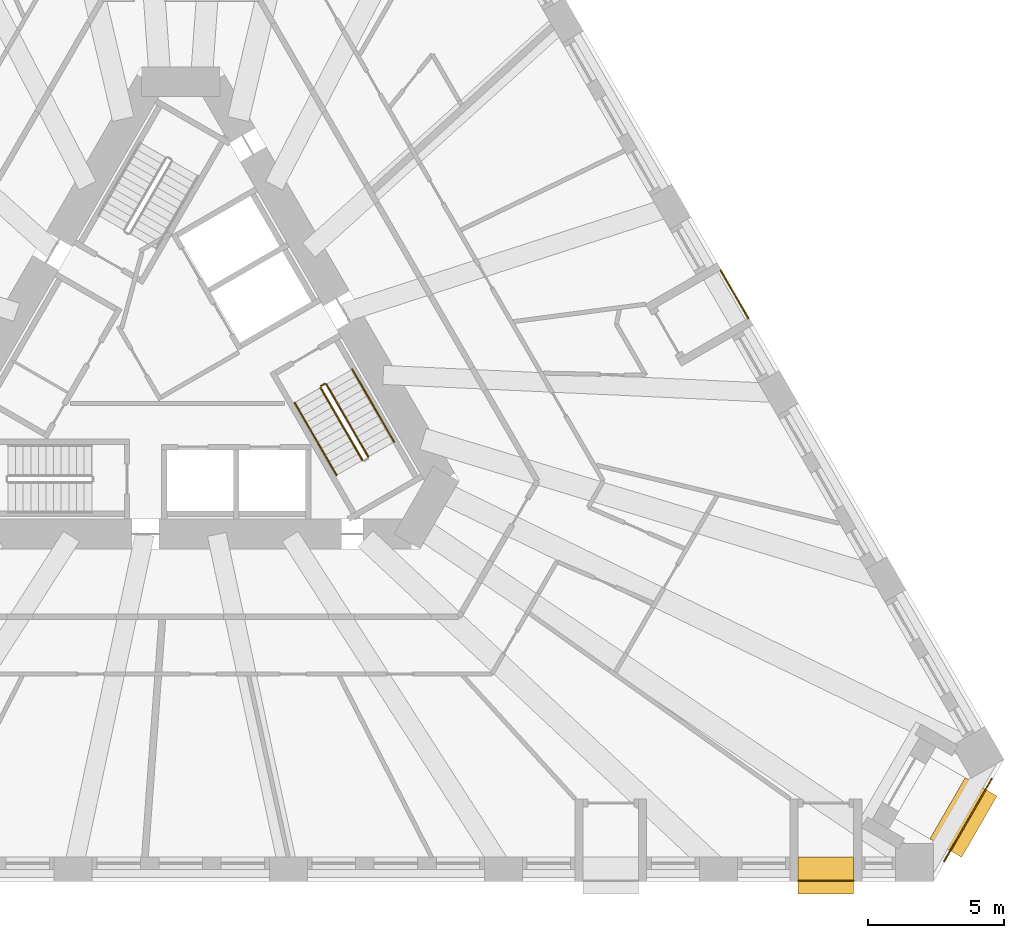
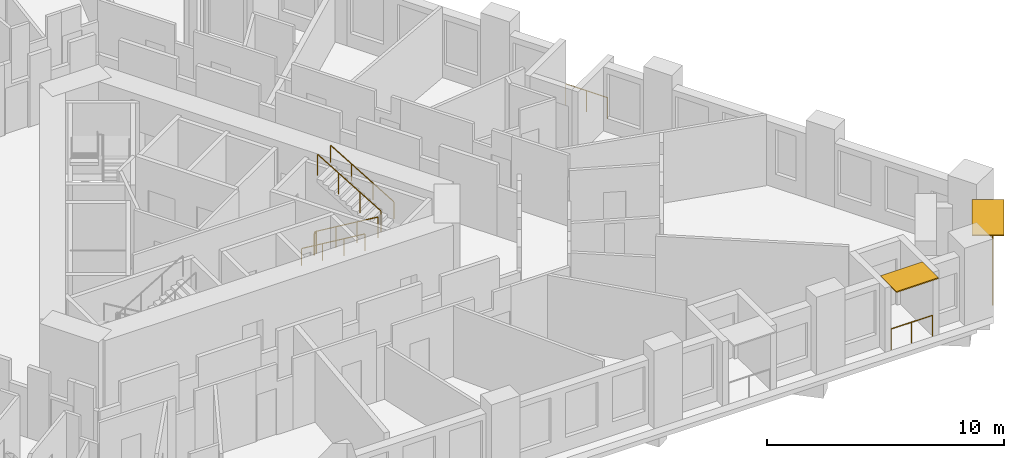
# One storey, part 13 of 14: 8 railings, 2 shading devices.
"""IFC4 building model written with IfcOpenShell, lengths in metres."""

from ifc_helpers import new_model, si_unit, direction, frame, origin, origin_2d, place, context, subcontext, project, spatial, rectangle, circle, extrude, material, layer, layer_set, type_object, element, save


model = new_model("IFC4")

# Units and contexts
model_context = context("Model", 3, precision=1e-05, world=origin(), true_north=direction((0.0, 1.0)))
body_context = subcontext(model_context, "Body", "Model", "MODEL_VIEW")
ifc_project = project(units=[si_unit("LENGTHUNIT", "METRE"), si_unit("AREAUNIT", "SQUARE_METRE"), si_unit("VOLUMEUNIT", "CUBIC_METRE"), si_unit("PLANEANGLEUNIT", "RADIAN"), si_unit("MASSUNIT", "GRAM", prefix="KILO")], contexts=[model_context])

# Site, building, storey
site_placement = place(None, origin())
site = spatial("IfcSite", under=ifc_project, at=site_placement, CompositionType="ELEMENT")
building_placement = place(site_placement, origin())
building = spatial("IfcBuilding", under=site, at=building_placement, Name="Tramontana Tower", CompositionType="ELEMENT")
storey_placement = place(building_placement, frame((0.0, 0.0, 34.0)))
storey = spatial("IfcBuildingStorey", under=building, at=storey_placement, Name="L06", CompositionType="ELEMENT", Elevation=34.0)

# Railings
ifc_material_1 = material(Name="Laminated glass balustrade", Category="glass")
railing_type_1 = type_object("IfcRailingType", Name="GD1 Loggia glass balustrade 1100", PredefinedType="BALUSTRADE", material=ifc_material_1)
railing_1_placement = place(storey_placement, frame((22.734130859375, -18.969970703125, 0.0)))
element("IfcRailing", 1, at=railing_1_placement, inside=storey, type_object=railing_type_1, Name="Loggia balustrade L06 G0S1.19", PredefinedType="BALUSTRADE", context=body_context, shape_type="SweptSolid", body=[
    extrude(circle(Radius=0.02392578125, at=origin_2d()), frame((0.0, 0.0, 1.076171875), z_axis=(1.0, 0.0, 0.0), x_axis=(0.0, 1.0, 0.0)), (0.0, 0.0, 1.0), 2.039306640625),
    extrude(circle(Radius=0.02099609375, at=origin_2d()), origin(), (0.0, 0.0, 1.0), 1.052001953125),
    extrude(circle(Radius=0.02099609375, at=origin_2d()), frame((1.01953125, 0.0, 0.0)), (0.0, 0.0, 1.0), 1.052001953125),
    extrude(circle(Radius=0.02099609375, at=origin_2d()), frame((2.039306640625, 0.0, 0.0)), (0.0, 0.0, 1.0), 1.052001953125),
])
railing_2_placement = place(storey_placement, frame((20.897216796875, 1.744873046875, 0.0)))
element("IfcRailing", 2, at=railing_2_placement, inside=storey, type_object=railing_type_1, Name="Loggia balustrade L06 G0S2.7", PredefinedType="BALUSTRADE", context=body_context, shape_type="SweptSolid", body=[
    extrude(circle(Radius=0.02392578125, at=origin_2d()), frame((0.0, 0.0, 1.076171875), z_axis=(-0.499950448838, 0.866054010271, 0.0), x_axis=(-0.866054010271, -0.499950448838, 0.0)), (0.0, 0.0, 1.0), 2.039306640625),
    extrude(circle(Radius=0.02099609375, at=origin_2d()), origin(), (0.0, 0.0, 1.0), 1.052001953125),
    extrude(circle(Radius=0.02099609375, at=origin_2d()), frame((-0.509765625, 0.883056640625, 0.0)), (0.0, 0.0, 1.0), 1.052001953125),
    extrude(circle(Radius=0.02099609375, at=origin_2d()), frame((-1.01953125, 1.76611328125, 0.0)), (0.0, 0.0, 1.0), 1.052001953125),
])
railing_3_placement = place(storey_placement, frame((29.86083984375, -15.219482421875, 0.0)))
element("IfcRailing", 3, at=railing_3_placement, inside=storey, type_object=railing_type_1, Name="Corner loggia balustrade L06 K02", PredefinedType="BALUSTRADE", context=body_context, shape_type="SweptSolid", body=[
    extrude(circle(Radius=0.02392578125, at=origin_2d()), frame((0.0, 0.0, 1.076171875), z_axis=(-0.500010275428, -0.866019471182, 0.0), x_axis=(0.866019471182, -0.500010275428, 0.0)), (0.0, 0.0, 1.0), 3.5),
    extrude(circle(Radius=0.02099609375, at=origin_2d()), origin(), (0.0, 0.0, 1.0), 1.052001953125),
    extrude(circle(Radius=0.02099609375, at=origin_2d()), frame((-0.583251953125, -1.01025390625, 0.0)), (0.0, 0.0, 1.0), 1.052001953125),
    extrude(circle(Radius=0.02099609375, at=origin_2d()), frame((-1.166748046875, -2.020751953125, 0.0)), (0.0, 0.0, 1.0), 1.052001953125),
    extrude(circle(Radius=0.02099609375, at=origin_2d()), frame((-1.75, -3.031005859375, 0.0)), (0.0, 0.0, 1.0), 1.052001953125),
])

# Shading devices
ifc_material_2 = material(Name="Precast concrete 60 MPa", Category="concrete")
ifc_layer_1 = layer(ifc_material_2, 0.06005859375)
ifc_layer_set_1 = layer_set([ifc_layer_1], Name="SS1 Stone sunshade blade 60")
shading_device_type_1 = type_object("IfcShadingDeviceType", Name="SS1 Stone sunshade blade 60", PredefinedType="USERDEFINED", material=ifc_layer_set_1)
shading_device_1_placement = place(storey_placement, frame((23.75390625, -18.77490234375, 3.239990234375), z_axis=(0.0, 0.0, 1.0), x_axis=(1.0, 0.0, 0.0)))
element("IfcShadingDevice", 4, at=shading_device_1_placement, inside=storey, type_object=shading_device_type_1, Name="Sunshade L06 G0S1.19", ObjectType="SUNSHADE", PredefinedType="USERDEFINED", context=body_context, shape_type="SweptSolid", body=[
    extrude(rectangle(XDim=2.039306640625, YDim=1.35009765625, at=origin_2d()), origin(), (0.0, 0.0, 1.0), 0.06005859375),
])
ifc_material_3 = material(Name="Precast concrete 60 MPa", Category="concrete")
ifc_layer_2 = layer(ifc_material_3, 0.070068359375)
ifc_layer_set_2 = layer_set([ifc_layer_2], Name="SS2 Stone sunshade blade 70")
shading_device_type_2 = type_object("IfcShadingDeviceType", Name="SS2 Stone sunshade blade 70", PredefinedType="USERDEFINED", material=ifc_layer_set_2)
shading_device_2_placement = place(storey_placement, frame((28.81689453125, -16.637451171875, 3.22998046875), z_axis=(0.0, 0.0, 1.0), x_axis=(-0.5, -0.866025403784, 0.0)))
element("IfcShadingDevice", 5, at=shading_device_2_placement, inside=storey, type_object=shading_device_type_2, Name="Corner sunshade L06 K02", ObjectType="SUNSHADE", PredefinedType="USERDEFINED", context=body_context, shape_type="SweptSolid", body=[
    extrude(rectangle(XDim=2.60009765625, YDim=1.35009765625, at=origin_2d()), origin(), (0.0, 0.0, 1.0), 0.070068359375),
])

# Railings
ifc_material_4 = material(Name="Painted steel", Category="steel")
railing_type_2 = type_object("IfcRailingType", Name="STAIR GUARD 1100", PredefinedType="GUARDRAIL", material=ifc_material_4)
railing_4_placement = place(storey_placement, frame((5.1474609375, -0.815673828125, 0.166748046875)))
element("IfcRailing", 6, at=railing_4_placement, inside=storey, type_object=railing_type_2, Name="L06 ST3 stair guard 1", PredefinedType="GUARDRAIL", context=body_context, shape_type="SweptSolid", body=[
    extrude(circle(Radius=0.02392578125, at=origin_2d()), frame((0.0, 0.0, 1.076171875), z_axis=(0.429671193721, -0.744159446956, 0.511477646425), x_axis=(0.866010015463, 0.500026652407, 0.0)), (0.0, 0.0, 1.0), 3.584228515625),
    extrude(circle(Radius=0.02099609375, at=origin_2d()), origin(), (0.0, 0.0, 1.0), 1.052001953125),
    extrude(circle(Radius=0.02099609375, at=origin_2d()), frame((0.513427734375, -0.88916015625, 0.611083984375)), (0.0, 0.0, 1.0), 1.052001953125),
    extrude(circle(Radius=0.02099609375, at=origin_2d()), frame((1.026611328125, -1.778076171875, 1.22216796875)), (0.0, 0.0, 1.0), 1.052001953125),
    extrude(circle(Radius=0.02099609375, at=origin_2d()), frame((1.5400390625, -2.667236328125, 1.833251953125)), (0.0, 0.0, 1.0), 1.052001953125),
])
railing_5_placement = place(storey_placement, frame((6.90380859375, -3.35791015625, 2.166748046875)))
element("IfcRailing", 7, at=railing_5_placement, inside=storey, type_object=railing_type_2, Name="L06 ST3 stair guard 2", PredefinedType="GUARDRAIL", context=body_context, shape_type="SweptSolid", body=[
    extrude(circle(Radius=0.02392578125, at=origin_2d()), frame((0.0, 0.0, 1.076171875), z_axis=(-0.429615651263, 0.74418122563, 0.511492615401), x_axis=(-0.866044340336, -0.499967199496, 0.0)), (0.0, 0.0, 1.0), 3.584228515625),
    extrude(circle(Radius=0.02099609375, at=origin_2d()), origin(), (0.0, 0.0, 1.0), 1.052001953125),
    extrude(circle(Radius=0.02099609375, at=origin_2d()), frame((-0.51318359375, 0.88916015625, 0.611083984375)), (0.0, 0.0, 1.0), 1.052001953125),
    extrude(circle(Radius=0.02099609375, at=origin_2d()), frame((-1.026611328125, 1.778076171875, 1.22216796875)), (0.0, 0.0, 1.0), 1.052001953125),
    extrude(circle(Radius=0.02099609375, at=origin_2d()), frame((-1.539794921875, 2.667236328125, 1.833251953125)), (0.0, 0.0, 1.0), 1.052001953125),
])
railing_6_placement = place(storey_placement, frame((5.165771484375, -0.747314453125, 0.0)))
element("IfcRailing", 8, at=railing_6_placement, inside=storey, type_object=railing_type_2, Name="L06 ST3 stair guard 4", PredefinedType="GUARDRAIL", context=body_context, shape_type="SweptSolid", body=[
    extrude(circle(Radius=0.02392578125, at=origin_2d()), frame((0.0, 0.0, 1.076171875), z_axis=(0.866131372301, 0.499816412211, 0.0), x_axis=(-0.499816412211, 0.866131372301, 0.0)), (0.0, 0.0, 1.0), 0.14990234375),
    extrude(circle(Radius=0.02099609375, at=origin_2d()), origin(), (0.0, 0.0, 1.0), 1.052001953125),
    extrude(circle(Radius=0.02099609375, at=origin_2d()), frame((0.1298828125, 0.074951171875, 0.0)), (0.0, 0.0, 1.0), 1.052001953125),
])
ifc_material_5 = material(Name="Painted steel", Category="steel")
railing_type_3 = type_object("IfcRailingType", Name="STAIR HANDRAIL 900", PredefinedType="HANDRAIL", material=ifc_material_5)
railing_7_placement = place(storey_placement, frame((4.19482421875, -1.365478515625, 0.166748046875)))
element("IfcRailing", 9, at=railing_7_placement, inside=storey, type_object=railing_type_3, Name="L06 ST3 stair handrail 1", PredefinedType="HANDRAIL", context=body_context, shape_type="SweptSolid", body=[
    extrude(circle(Radius=0.02392578125, at=origin_2d()), frame((0.0, 0.0, 0.8759765625), z_axis=(0.429649414936, -0.744189839504, 0.511451721109), x_axis=(0.866029832698, 0.499992328818, 0.0)), (0.0, 0.0, 1.0), 3.58447265625),
    extrude(circle(Radius=0.02099609375, at=origin_2d()), origin(), (0.0, 0.0, 1.0), 0.851806640625),
    extrude(circle(Radius=0.02099609375, at=origin_2d()), frame((0.513427734375, -0.88916015625, 0.611083984375)), (0.0, 0.0, 1.0), 0.851806640625),
    extrude(circle(Radius=0.02099609375, at=origin_2d()), frame((1.026611328125, -1.7783203125, 1.22216796875)), (0.0, 0.0, 1.0), 0.851806640625),
    extrude(circle(Radius=0.02099609375, at=origin_2d()), frame((1.5400390625, -2.66748046875, 1.833251953125)), (0.0, 0.0, 1.0), 0.851806640625),
])
railing_8_placement = place(storey_placement, frame((7.8564453125, -2.807861328125, 2.166748046875)))
element("IfcRailing", 10, at=railing_8_placement, inside=storey, type_object=railing_type_3, Name="L06 ST3 stair handrail 2", PredefinedType="HANDRAIL", context=body_context, shape_type="SweptSolid", body=[
    extrude(circle(Radius=0.02392578125, at=origin_2d()), frame((0.0, 0.0, 0.8759765625), z_axis=(-0.429615651263, 0.74418122563, 0.511492615401), x_axis=(-0.866044340336, -0.499967199496, 0.0)), (0.0, 0.0, 1.0), 3.584228515625),
    extrude(circle(Radius=0.02099609375, at=origin_2d()), origin(), (0.0, 0.0, 1.0), 0.851806640625),
    extrude(circle(Radius=0.02099609375, at=origin_2d()), frame((-0.51318359375, 0.88916015625, 0.611083984375)), (0.0, 0.0, 1.0), 0.851806640625),
    extrude(circle(Radius=0.02099609375, at=origin_2d()), frame((-1.026611328125, 1.778076171875, 1.22216796875)), (0.0, 0.0, 1.0), 0.851806640625),
    extrude(circle(Radius=0.02099609375, at=origin_2d()), frame((-1.539794921875, 2.667236328125, 1.833251953125)), (0.0, 0.0, 1.0), 0.851806640625),
])

save(model, "model.ifc")
